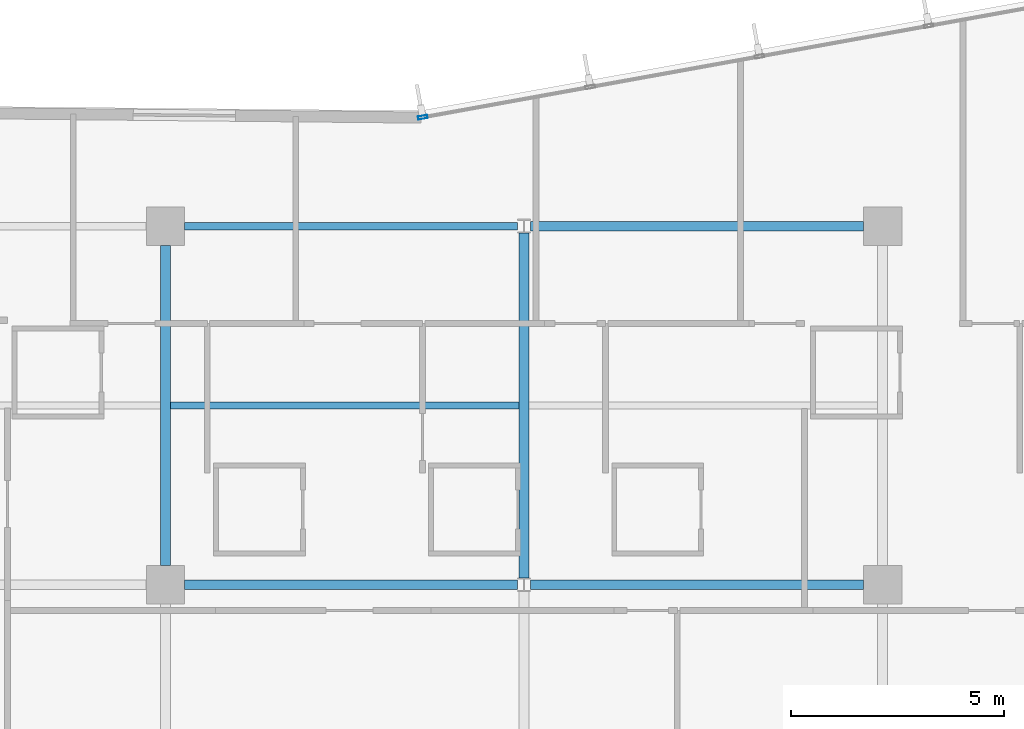
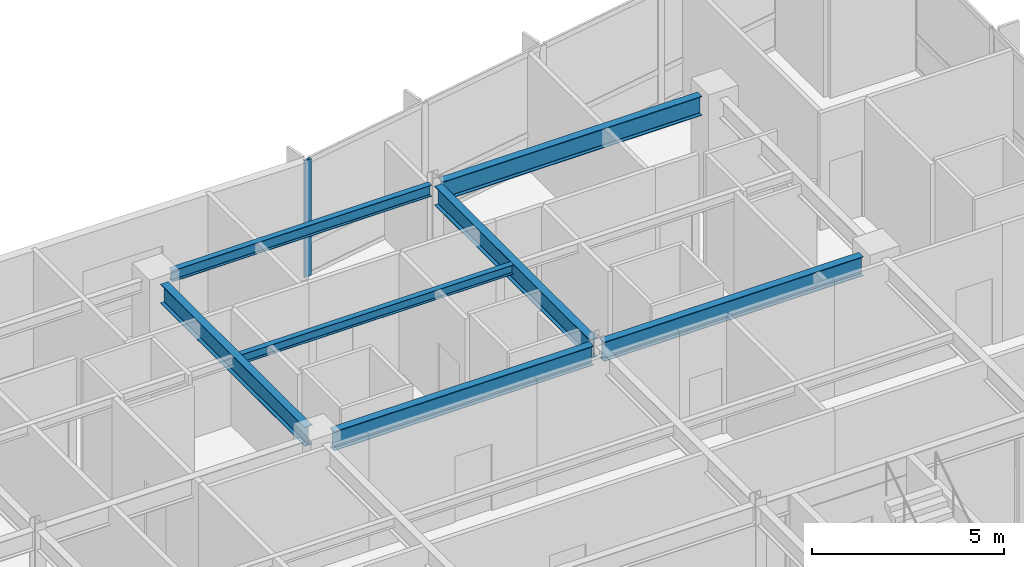
# One storey, part 7 of 22: 7 beams, 1 member, 1 element without a shape of its own.
"""IFC4 building model written with IfcOpenShell, lengths in metres."""

from ifc_helpers import new_model, si_unit, direction, frame, origin, origin_2d, place, context, subcontext, project, spatial, hollow_rectangle, i_section, extrude, material, layer, layer_set, material_profile, profile_set, type_object, element, aggregate, save


model = new_model("IFC4")

# Units and contexts
model_context = context("Model", 3, precision=1e-05, world=origin(), true_north=direction((0.0, 1.0)))
body_context = subcontext(model_context, "Body", "Model", "MODEL_VIEW")
ifc_project = project(units=[si_unit("LENGTHUNIT", "METRE"), si_unit("AREAUNIT", "SQUARE_METRE"), si_unit("VOLUMEUNIT", "CUBIC_METRE"), si_unit("PLANEANGLEUNIT", "RADIAN"), si_unit("MASSUNIT", "GRAM", prefix="KILO")], contexts=[model_context])

# Site, building, storey
site_placement = place(None, origin())
site = spatial("IfcSite", under=ifc_project, at=site_placement, CompositionType="ELEMENT")
building_placement = place(site_placement, origin())
building = spatial("IfcBuilding", under=site, at=building_placement, Name="Varnakote Quay Hospital", CompositionType="ELEMENT")
storey_placement = place(building_placement, frame((0.0, 0.0, 62.0)))
storey = spatial("IfcBuildingStorey", under=building, at=storey_placement, Name="L15", CompositionType="ELEMENT", Elevation=62.0)

# Beams
ifc_material_1 = material(Name="Structural steel AS/NZS 3679.1 Grade 350 L0 (fy 340 MPa)", Category="steel")
ifc_material_profile_1 = material_profile(ifc_material_1, i_section(OverallWidth=0.22900390625, OverallDepth=0.612060546875, WebThickness=0.011962890625, FlangeThickness=0.01953125, FilletRadius=0.013916015625, at=origin_2d()), Name="610UB125")
ifc_profile_set_1 = profile_set([ifc_material_profile_1], Name="Structural steel AS/NZS 3679.1 Grade 350 L0 (fy 340 MPa)")
beam_type_1 = type_object("IfcBeamType", Name="BM-STL-610UB125", PredefinedType="BEAM", material=ifc_profile_set_1)
for number, where, z_axis, x_axis, name in (
    (1, (34.050048828125, 20.39990234375, 3.404052734375), (1.0, 0.0, 0.0), (0.0, 1.0, 0.0), "L15 Primary Floor Beam"),
    (2, (42.155517578125, 20.39990234375, 3.404052734375), (1.0, 0.0, 0.0), (0.0, 1.0, 0.0), "L15 Primary Floor Beam"),
    (3, (42.155517578125, 28.800048828125, 3.404052734375), (1.0, 0.0, 0.0), (0.0, 1.0, 0.0), "L15 Primary Floor Beam"),
):
    element("IfcBeam", number, at=place(storey_placement, frame(where, z_axis=z_axis, x_axis=x_axis)), inside=storey, type_object=beam_type_1, Name=name, PredefinedType="BEAM", context=body_context, shape_type="SweptSolid", body=[
        extrude(i_section(OverallWidth=0.22900390625, OverallDepth=0.612060546875, WebThickness=0.011962890625, FlangeThickness=0.01953125, FilletRadius=0.013916015625, at=origin_2d()), origin(), (0.0, 0.0, 1.0), 7.79443359375),
    ])
beam_1_placement = place(storey_placement, frame((33.60009765625, 20.85009765625, 3.404052734375), z_axis=(0.0, 1.0, 0.0), x_axis=(-1.0, 0.0, 0.0)))
element("IfcBeam", 4, at=beam_1_placement, inside=storey, type_object=beam_type_1, Name="L15 Primary Tie Beam", PredefinedType="BEAM", context=body_context, shape_type="SweptSolid", body=[
    extrude(i_section(OverallWidth=0.22900390625, OverallDepth=0.612060546875, WebThickness=0.011962890625, FlangeThickness=0.01953125, FilletRadius=0.013916015625, at=origin_2d()), origin(), (0.0, 0.0, 1.0), 7.5),
])
beam_2_placement = place(storey_placement, frame((42.0, 20.5634765625, 3.404052734375), z_axis=(0.0, 1.0, 0.0), x_axis=(-1.0, 0.0, 0.0)))
element("IfcBeam", 5, at=beam_2_placement, inside=storey, type_object=beam_type_1, Name="L15 Primary Tie Beam", PredefinedType="BEAM", context=body_context, shape_type="SweptSolid", body=[
    extrude(i_section(OverallWidth=0.22900390625, OverallDepth=0.612060546875, WebThickness=0.011962890625, FlangeThickness=0.01953125, FilletRadius=0.013916015625, at=origin_2d()), origin(), (0.0, 0.0, 1.0), 8.072998046875),
])

# Curtain wall, member
ifc_material_2 = material(Name="Anodised aluminium 6063-T6 Bronze", Category="aluminium")
ifc_layer = layer(ifc_material_2, 0.18994140625)
ifc_layer_set = layer_set([ifc_layer], Name="Anodised aluminium 6063-T6 Bronze")
curtain_wall_type = type_object("IfcCurtainWallType", Name="CW-SYS-2", PredefinedType="NOTDEFINED", material=ifc_layer_set)
curtain_wall_placement = place(storey_placement, origin())
curtain_wall = element("IfcCurtainWall", 6, at=curtain_wall_placement, inside=storey, type_object=curtain_wall_type, Name="L15 Unitised Bronze Curtain Wall 2", PredefinedType="NOTDEFINED")
ifc_material_3 = material(Name="Anodised aluminium 6063-T6 Bronze", Category="aluminium")
ifc_material_profile_2 = material_profile(ifc_material_3, hollow_rectangle(XDim=0.074951171875, YDim=0.219970703125, WallThickness=0.00439453125, InnerFilletRadius=0.00439453125, OuterFilletRadius=0.009033203125, at=origin_2d()), Name="CW-MULL-220x75")
ifc_profile_set_2 = profile_set([ifc_material_profile_2], Name="Anodised aluminium 6063-T6 Bronze")
member_type = type_object("IfcMemberType", Name="CW-MULL-220x75", PredefinedType="MULLION", material=ifc_profile_set_2)
member_placement = place(storey_placement, frame((39.62646484375, 31.3505859375, 0.0), z_axis=(0.0, 0.0, 1.0), x_axis=(0.177846199098, -0.984058295766, 0.0)))
member = element("IfcMember", 7, at=member_placement, type_object=member_type, Name="-2-L15-2 mullion 5", PredefinedType="MULLION", context=body_context, shape_type="SweptSolid", body=[
    extrude(hollow_rectangle(XDim=0.074951171875, YDim=0.219970703125, WallThickness=0.00439453125, InnerFilletRadius=0.00439453125, OuterFilletRadius=0.009033203125, at=origin_2d()), origin(), (0.0, 0.0, 1.0), 3.7099609375),
])
aggregate(curtain_wall, [member])

# Beams
ifc_material_4 = material(Name="Structural steel AS/NZS 3679.1 Grade 350 L0 (fy 340 MPa)", Category="steel")
ifc_material_profile_3 = material_profile(ifc_material_4, i_section(OverallWidth=0.1650390625, OverallDepth=0.303955078125, WebThickness=0.006103515625, FlangeThickness=0.01025390625, FilletRadius=0.011474609375, at=origin_2d()), Name="310UB40.4")
ifc_profile_set_3 = profile_set([ifc_material_profile_3], Name="Structural steel AS/NZS 3679.1 Grade 350 L0 (fy 340 MPa)")
beam_type_2 = type_object("IfcBeamType", Name="JST-STL-310UB40-4", PredefinedType="JOIST", material=ifc_profile_set_3)
beam_3_placement = place(storey_placement, frame((33.714599609375, 24.60009765625, 3.55810546875), z_axis=(1.0, 0.0, 0.0), x_axis=(0.0, 1.0, 0.0)))
element("IfcBeam", 8, at=beam_3_placement, inside=storey, type_object=beam_type_2, Name="L15 Composite Floor Joist", PredefinedType="JOIST", context=body_context, shape_type="SweptSolid", body=[
    extrude(i_section(OverallWidth=0.1650390625, OverallDepth=0.303955078125, WebThickness=0.006103515625, FlangeThickness=0.01025390625, FilletRadius=0.011474609375, at=origin_2d()), origin(), (0.0, 0.0, 1.0), 8.1708984375),
])
ifc_material_5 = material(Name="Structural steel AS/NZS 3679.1 Grade 350 L0 (fy 340 MPa)", Category="steel")
ifc_material_profile_4 = material_profile(ifc_material_5, i_section(OverallWidth=0.172119140625, OverallDepth=0.35888671875, WebThickness=0.008056640625, FlangeThickness=0.012939453125, FilletRadius=0.011474609375, at=origin_2d()), Name="360UB56.7")
ifc_profile_set_4 = profile_set([ifc_material_profile_4], Name="Structural steel AS/NZS 3679.1 Grade 350 L0 (fy 340 MPa)")
beam_type_3 = type_object("IfcBeamType", Name="SPN-STL-360UB56-7", PredefinedType="SPANDREL", material=ifc_profile_set_4)
beam_4_placement = place(storey_placement, frame((34.050048828125, 28.800048828125, 3.530517578125), z_axis=(1.0, 0.0, 0.0), x_axis=(0.0, 1.0, 0.0)))
element("IfcBeam", 9, at=beam_4_placement, inside=storey, type_object=beam_type_3, Name="L15 Perimeter Spandrel Beam", PredefinedType="SPANDREL", context=body_context, shape_type="SweptSolid", body=[
    extrude(i_section(OverallWidth=0.172119140625, OverallDepth=0.35888671875, WebThickness=0.008056640625, FlangeThickness=0.012939453125, FilletRadius=0.011474609375, at=origin_2d()), origin(), (0.0, 0.0, 1.0), 7.79443359375),
])

save(model, "model.ifc")
